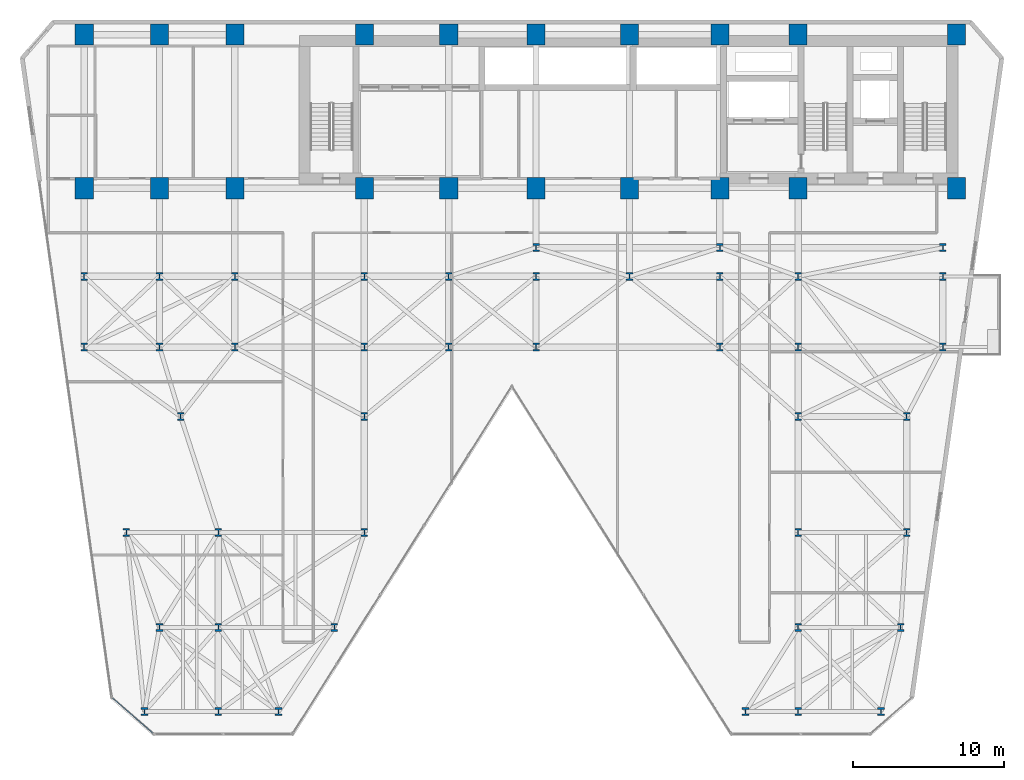
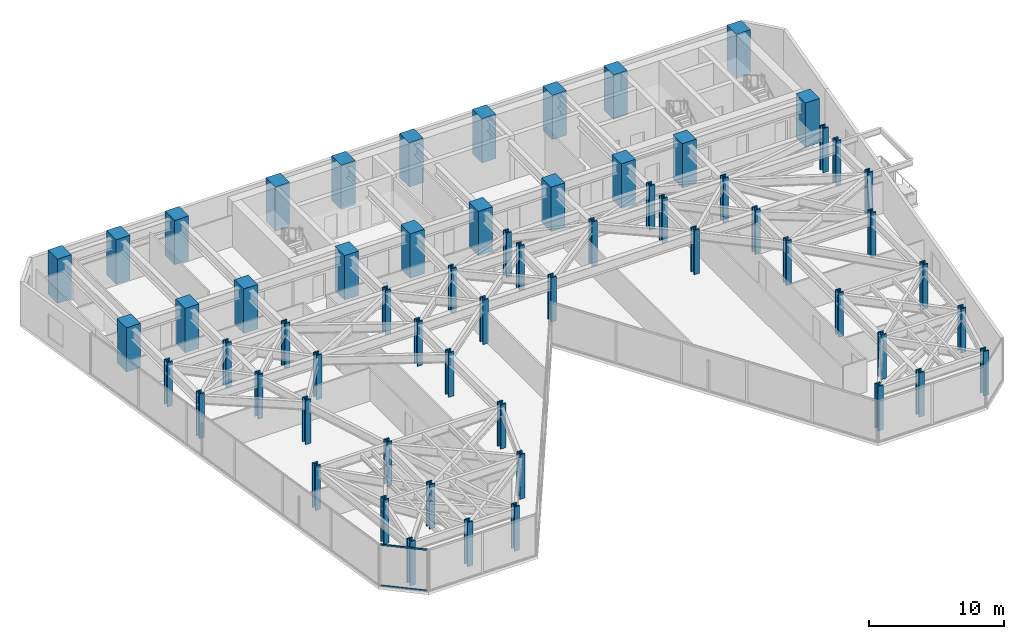
# One storey, part 1 of 24: 62 columns, 2 members, 1 element without a shape of its own.
"""IFC4 building model written with IfcOpenShell, lengths in metres."""

from ifc_helpers import new_model, si_unit, direction, frame, origin, origin_2d, place, context, subcontext, project, spatial, rectangle, hollow_rectangle, i_section, extrude, material, layer, layer_set, material_profile, profile_set, type_object, element, aggregate, save


model = new_model("IFC4")

# Units and contexts
model_context = context("Model", 3, precision=1e-05, world=origin(), true_north=direction((0.0, 1.0)))
body_context = subcontext(model_context, "Body", "Model", "MODEL_VIEW")
ifc_project = project(units=[si_unit("LENGTHUNIT", "METRE"), si_unit("AREAUNIT", "SQUARE_METRE"), si_unit("VOLUMEUNIT", "CUBIC_METRE"), si_unit("PLANEANGLEUNIT", "RADIAN"), si_unit("MASSUNIT", "GRAM", prefix="KILO")], contexts=[model_context])

# Site, building, storey
site_placement = place(None, origin())
site = spatial("IfcSite", under=ifc_project, at=site_placement, CompositionType="ELEMENT")
building_placement = place(site_placement, origin())
building = spatial("IfcBuilding", under=site, at=building_placement, Name="Kravanh Interchange Tower", CompositionType="ELEMENT")
storey_placement = place(building_placement, frame((0.0, 0.0, 37.5)))
storey = spatial("IfcBuildingStorey", under=building, at=storey_placement, Name="L08", CompositionType="ELEMENT", Elevation=37.5)

# Columns
ifc_material_1 = material(Name="Concrete C80/95", Category="concrete")
ifc_material_profile_1 = material_profile(ifc_material_1, rectangle(XDim=1.199951171875, YDim=1.39990234375, at=origin_2d()), Name="RC1200X1400")
ifc_profile_set_1 = profile_set([ifc_material_profile_1], Name="Concrete C80/95")
column_type_1 = type_object("IfcColumnType", Name="Column RC1200X1400 Concrete C80/95", PredefinedType="COLUMN", material=ifc_profile_set_1)
for number, where, z_axis, x_axis, name in (
    (1, (66.5, 47.550048828125, 0.0), (0.0, 0.0, 1.0), (1.0, 0.0, 0.0), "L08 Column CS01"),
    (2, (56.0, 47.550048828125, 0.0), (0.0, 0.0, 1.0), (1.0, 0.0, 0.0), "L08 Column CS02"),
    (3, (66.5, 37.35009765625, 0.0), (0.0, 0.0, 1.0), (1.0, 0.0, 0.0), "L08 Column CS03"),
    (4, (56.0, 37.35009765625, 0.0), (0.0, 0.0, 1.0), (1.0, 0.0, 0.0), "L08 Column CS04"),
    (5, (50.800048828125, 47.550048828125, 0.0), (0.0, 0.0, 1.0), (1.0, 0.0, 0.0), "L08 Column CS05"),
    (6, (50.800048828125, 37.35009765625, 0.0), (0.0, 0.0, 1.0), (1.0, 0.0, 0.0), "L08 Column CS06"),
    (7, (44.800048828125, 37.35009765625, 0.0), (0.0, 0.0, 1.0), (1.0, 0.0, 0.0), "L08 Column CS07"),
    (8, (44.800048828125, 47.550048828125, 0.0), (0.0, 0.0, 1.0), (1.0, 0.0, 0.0), "L08 Column CS08"),
    (9, (38.60009765625, 37.35009765625, 0.0), (0.0, 0.0, 1.0), (1.0, 0.0, 0.0), "L08 Column CS09"),
    (10, (38.60009765625, 47.550048828125, 0.0), (0.0, 0.0, 1.0), (1.0, 0.0, 0.0), "L08 Column CS10"),
    (11, (32.800048828125, 37.35009765625, 0.0), (0.0, 0.0, 1.0), (1.0, 0.0, 0.0), "L08 Column CS11"),
    (12, (32.800048828125, 47.550048828125, 0.0), (0.0, 0.0, 1.0), (1.0, 0.0, 0.0), "L08 Column CS12"),
    (13, (27.199951171875, 37.35009765625, 0.0), (0.0, 0.0, 1.0), (1.0, 0.0, 0.0), "L08 Column CS13"),
    (14, (27.199951171875, 47.550048828125, 0.0), (0.0, 0.0, 1.0), (1.0, 0.0, 0.0), "L08 Column CS14"),
    (15, (18.60009765625, 37.35009765625, 0.0), (0.0, 0.0, 1.0), (1.0, 0.0, 0.0), "L08 Column CS17"),
    (16, (18.60009765625, 47.550048828125, 0.0), (0.0, 0.0, 1.0), (1.0, 0.0, 0.0), "L08 Column CS18"),
    (17, (13.60009765625, 37.35009765625, 0.0), (0.0, 0.0, 1.0), (1.0, 0.0, 0.0), "L08 Column CS19"),
    (18, (13.60009765625, 47.550048828125, 0.0), (0.0, 0.0, 1.0), (1.0, 0.0, 0.0), "L08 Column CS20"),
    (19, (8.60009765625, 37.35009765625, 0.0), (0.0, 0.0, 1.0), (1.0, 0.0, 0.0), "L08 Column CS21"),
    (20, (8.60009765625, 47.550048828125, 0.0), (0.0, 0.0, 1.0), (1.0, 0.0, 0.0), "L08 Column CS22"),
):
    element("IfcColumn", number, at=place(storey_placement, frame(where, z_axis=z_axis, x_axis=x_axis)), inside=storey, type_object=column_type_1, Name=name, PredefinedType="COLUMN", context=body_context, shape_type="SweptSolid", body=[
        extrude(rectangle(XDim=1.199951171875, YDim=1.39990234375, at=origin_2d()), origin(), (0.0, 0.0, 1.0), 4.0),
    ])
ifc_material_2 = material(Name="Structural Steel S450", Category="steel")
ifc_material_profile_2 = material_profile(ifc_material_2, i_section(OverallWidth=0.44189453125, OverallDepth=0.531005859375, WebThickness=0.06591796875, FlangeThickness=0.105712890625, FilletRadius=0.030029296875, at=origin_2d()), Name="W14X605")
ifc_profile_set_2 = profile_set([ifc_material_profile_2], Name="Structural Steel S450")
column_type_2 = type_object("IfcColumnType", Name="Column W14X605 Structural Steel S450", PredefinedType="COLUMN", material=ifc_profile_set_2)
for number, where, z_axis, x_axis, name in (
    (21, (12.60009765625, 2.60009765625, 0.0), (0.0, 0.0, 1.0), (1.0, 0.0, 0.0), "L08 Column CZ1_1"),
    (22, (56.0, 14.5, 0.0), (0.0, 0.0, 1.0), (1.0, 0.0, 0.0), "L08 Column CZ1_10"),
    (23, (63.199951171875, 14.5, 0.0), (0.0, 0.0, 1.0), (1.0, 0.0, 0.0), "L08 Column CZ1_11"),
    (24, (15.0, 22.199951171875, 0.0), (0.0, 0.0, 1.0), (1.0, 0.0, 0.0), "L08 Column CZ1_11B"),
    (25, (27.199951171875, 22.199951171875, 0.0), (0.0, 0.0, 1.0), (1.0, 0.0, 0.0), "L08 Column CZ1_11C"),
    (26, (56.0, 22.199951171875, 0.0), (0.0, 0.0, 1.0), (1.0, 0.0, 0.0), "L08 Column CZ1_11D"),
    (27, (63.199951171875, 22.199951171875, 0.0), (0.0, 0.0, 1.0), (1.0, 0.0, 0.0), "L08 Column CZ1_11E"),
    (28, (8.60009765625, 26.800048828125, 0.0), (0.0, 0.0, 1.0), (1.0, 0.0, 0.0), "L08 Column CZ1_12"),
    (29, (13.60009765625, 26.800048828125, 0.0), (0.0, 0.0, 1.0), (1.0, 0.0, 0.0), "L08 Column CZ1_13"),
    (30, (18.60009765625, 26.800048828125, 0.0), (0.0, 0.0, 1.0), (1.0, 0.0, 0.0), "L08 Column CZ1_14"),
    (31, (27.199951171875, 26.800048828125, 0.0), (0.0, 0.0, 1.0), (1.0, 0.0, 0.0), "L08 Column CZ1_15"),
    (32, (32.800048828125, 26.800048828125, 0.0), (0.0, 0.0, 1.0), (1.0, 0.0, 0.0), "L08 Column CZ1_16"),
    (33, (38.60009765625, 26.800048828125, 0.0), (0.0, 0.0, 1.0), (1.0, 0.0, 0.0), "L08 Column CZ1_16B"),
    (34, (50.800048828125, 26.800048828125, 0.0), (0.0, 0.0, 1.0), (1.0, 0.0, 0.0), "L08 Column CZ1_17"),
    (35, (56.0, 26.800048828125, 0.0), (0.0, 0.0, 1.0), (1.0, 0.0, 0.0), "L08 Column CZ1_18"),
    (36, (65.60009765625, 26.800048828125, 0.0), (0.0, 0.0, 1.0), (1.0, 0.0, 0.0), "L08 Column CZ1_19"),
    (37, (8.60009765625, 31.5, 0.0), (0.0, 0.0, 1.0), (1.0, 0.0, 0.0), "L08 Column CZ1_19B"),
    (38, (13.60009765625, 31.5, 0.0), (0.0, 0.0, 1.0), (1.0, 0.0, 0.0), "L08 Column CZ1_19C"),
    (39, (17.5, 2.60009765625, 0.0), (0.0, 0.0, 1.0), (1.0, 0.0, 0.0), "L08 Column CZ1_2"),
    (40, (18.60009765625, 31.5, 0.0), (0.0, 0.0, 1.0), (1.0, 0.0, 0.0), "L08 Column CZ1_20"),
    (41, (27.199951171875, 31.5, 0.0), (0.0, 0.0, 1.0), (1.0, 0.0, 0.0), "L08 Column CZ1_21"),
    (42, (32.800048828125, 31.5, 0.0), (0.0, 0.0, 1.0), (1.0, 0.0, 0.0), "L08 Column CZ1_22"),
    (43, (38.60009765625, 31.5, 0.0), (0.0, 0.0, 1.0), (1.0, 0.0, 0.0), "L08 Column CZ1_23"),
    (44, (44.800048828125, 31.5, 0.0), (0.0, 0.0, 1.0), (1.0, 0.0, 0.0), "L08 Column CZ1_24"),
    (45, (50.800048828125, 31.5, 0.0), (0.0, 0.0, 1.0), (1.0, 0.0, 0.0), "L08 Column CZ1_25"),
    (46, (56.0, 31.5, 0.0), (0.0, 0.0, 1.0), (1.0, 0.0, 0.0), "L08 Column CZ1_26"),
    (47, (65.60009765625, 31.5, 0.0), (0.0, 0.0, 1.0), (1.0, 0.0, 0.0), "L08 Column CZ1_27"),
    (48, (21.5, 2.60009765625, 0.0), (0.0, 0.0, 1.0), (1.0, 0.0, 0.0), "L08 Column CZ1_3"),
    (49, (52.5, 2.60009765625, 0.0), (0.0, 0.0, 1.0), (1.0, 0.0, 0.0), "L08 Column CZ1_4"),
    (50, (56.0, 2.60009765625, 0.0), (0.0, 0.0, 1.0), (1.0, 0.0, 0.0), "L08 Column CZ1_5"),
    (51, (61.5, 2.60009765625, 0.0), (0.0, 0.0, 1.0), (1.0, 0.0, 0.0), "L08 Column CZ1_5B"),
    (52, (13.60009765625, 8.199951171875, 0.0), (0.0, 0.0, 1.0), (1.0, 0.0, 0.0), "L08 Column CZ1_6"),
    (53, (17.5, 8.199951171875, 0.0), (0.0, 0.0, 1.0), (1.0, 0.0, 0.0), "L08 Column CZ1_6B"),
    (54, (25.199951171875, 8.199951171875, 0.0), (0.0, 0.0, 1.0), (1.0, 0.0, 0.0), "L08 Column CZ1_6C"),
    (55, (56.0, 8.199951171875, 0.0), (0.0, 0.0, 1.0), (1.0, 0.0, 0.0), "L08 Column CZ1_6D"),
    (56, (62.800048828125, 8.199951171875, 0.0), (0.0, 0.0, 1.0), (1.0, 0.0, 0.0), "L08 Column CZ1_6E"),
    (57, (11.39990234375, 14.5, 0.0), (0.0, 0.0, 1.0), (1.0, 0.0, 0.0), "L08 Column CZ1_7"),
    (58, (17.5, 14.5, 0.0), (0.0, 0.0, 1.0), (1.0, 0.0, 0.0), "L08 Column CZ1_7B"),
    (59, (27.199951171875, 14.5, 0.0), (0.0, 0.0, 1.0), (1.0, 0.0, 0.0), "L08 Column CZ1_8"),
    (60, (38.60009765625, 33.39990234375, 0.0), (0.0, 0.0, 1.0), (1.0, 0.0, 0.0), "L08 Column CZ1_M1"),
    (61, (50.800048828125, 33.39990234375, 0.0), (0.0, 0.0, 1.0), (1.0, 0.0, 0.0), "L08 Column CZ1_M2"),
    (62, (65.60009765625, 33.39990234375, 0.0), (0.0, 0.0, 1.0), (1.0, 0.0, 0.0), "L08 Column CZ1_M3"),
):
    element("IfcColumn", number, at=place(storey_placement, frame(where, z_axis=z_axis, x_axis=x_axis)), inside=storey, type_object=column_type_2, Name=name, PredefinedType="COLUMN", context=body_context, shape_type="SweptSolid", body=[
        extrude(i_section(OverallWidth=0.44189453125, OverallDepth=0.531005859375, WebThickness=0.06591796875, FlangeThickness=0.105712890625, FilletRadius=0.030029296875, at=origin_2d()), origin(), (0.0, 0.0, 1.0), 4.0),
    ])

# Curtain wall, members
ifc_material_3 = material(Name="Anodised Bronze Aluminium", Category="aluminium")
ifc_layer = layer(ifc_material_3, 0.179931640625)
ifc_layer_set = layer_set([ifc_layer], Name="Unitised Curtain Wall System CW-Z1 Lower Office")
curtain_wall_type = type_object("IfcCurtainWallType", Name="Unitised Curtain Wall System CW-Z1 Lower Office", PredefinedType="NOTDEFINED", material=ifc_layer_set)
curtain_wall_placement = place(storey_placement, origin())
curtain_wall = element("IfcCurtainWall", 63, at=curtain_wall_placement, inside=storey, type_object=curtain_wall_type, Name="L08 Unitised Curtain Wall CW-L08-07", PredefinedType="NOTDEFINED")
ifc_material_4 = material(Name="Anodised Bronze Aluminium", Category="aluminium")
ifc_material_profile_3 = material_profile(ifc_material_4, hollow_rectangle(XDim=0.06005859375, YDim=0.139892578125, WallThickness=0.00390625, at=origin_2d()), Name="ALU60X140X4")
ifc_profile_set_3 = profile_set([ifc_material_profile_3], Name="Anodised Bronze Aluminium")
member_type = type_object("IfcMemberType", Name="Curtain Wall Transom ALU60X140X4 Bronze", PredefinedType="USERDEFINED", material=ifc_profile_set_3)
member_1_placement = place(storey_placement, frame((13.167724609375, 1.166015625, 0.030029296875), z_axis=(-0.754710815466, 0.656057608004, 0.0), x_axis=(-0.656057608004, -0.754710815466, 0.0)))
member_1 = element("IfcMember", 64, at=member_1_placement, type_object=member_type, Name="CW-Z1 transom 1.1", ObjectType="TRANSOM", PredefinedType="USERDEFINED", context=body_context, shape_type="SweptSolid", body=[
    extrude(hollow_rectangle(XDim=0.06005859375, YDim=0.139892578125, WallThickness=0.00390625, at=origin_2d()), origin(), (0.0, 0.0, 1.0), 3.543701171875),
])
member_2_placement = place(storey_placement, frame((13.167724609375, 1.166015625, 3.7099609375), z_axis=(-0.754710815466, 0.656057608004, 0.0), x_axis=(-0.656057608004, -0.754710815466, 0.0)))
member_2 = element("IfcMember", 65, at=member_2_placement, type_object=member_type, Name="CW-Z1 transom 1.2", ObjectType="TRANSOM", PredefinedType="USERDEFINED", context=body_context, shape_type="SweptSolid", body=[
    extrude(hollow_rectangle(XDim=0.06005859375, YDim=0.139892578125, WallThickness=0.00390625, at=origin_2d()), origin(), (0.0, 0.0, 1.0), 3.543701171875),
])
aggregate(curtain_wall, [member_1, member_2])

save(model, "model.ifc")
